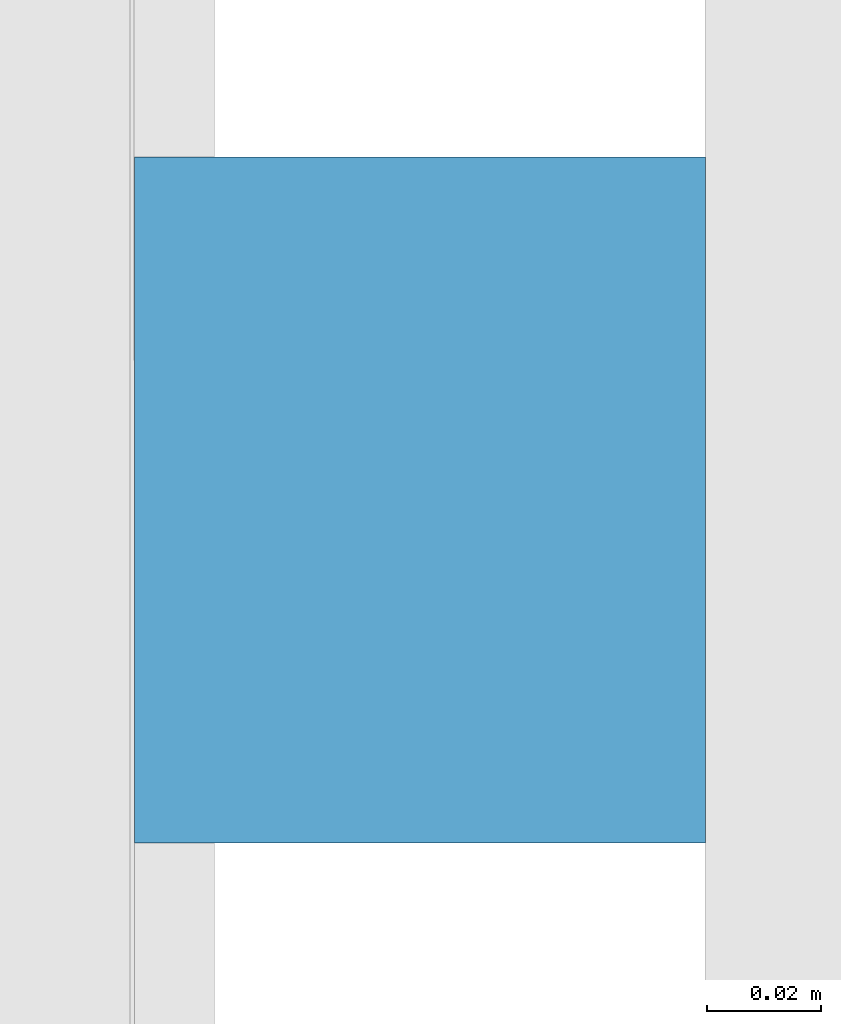
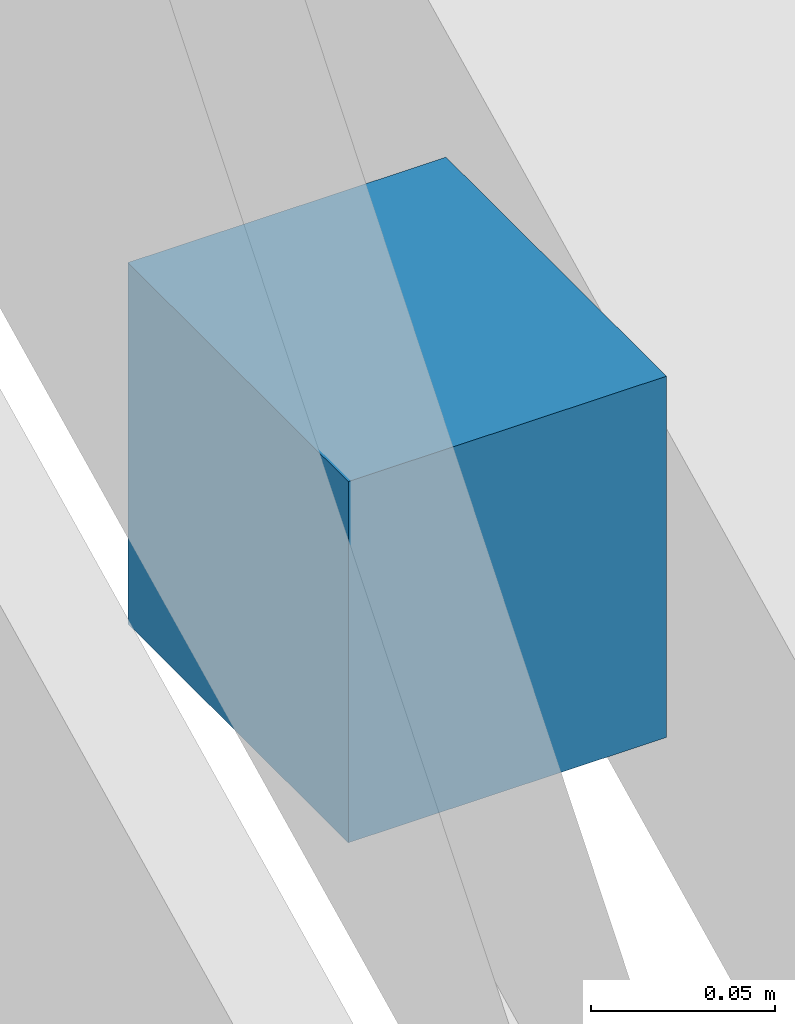
# One storey, part 21 of 22: 1 discrete accessory.
"""IFC4 building model written with IfcOpenShell, lengths in metres."""

from ifc_helpers import new_model, si_unit, direction, frame, origin, origin_2d, place, context, subcontext, project, spatial, rectangle, extrude, material, type_object, element, save


model = new_model("IFC4")

# Units and contexts
model_context = context("Model", 3, precision=1e-05, world=origin(), true_north=direction((0.0, 1.0)))
body_context = subcontext(model_context, "Body", "Model", "MODEL_VIEW")
ifc_project = project(units=[si_unit("LENGTHUNIT", "METRE"), si_unit("AREAUNIT", "SQUARE_METRE"), si_unit("VOLUMEUNIT", "CUBIC_METRE"), si_unit("PLANEANGLEUNIT", "RADIAN"), si_unit("MASSUNIT", "GRAM", prefix="KILO")], contexts=[model_context])

# Site, building, storey
site_placement = place(None, origin())
site = spatial("IfcSite", under=ifc_project, at=site_placement, CompositionType="ELEMENT")
building_placement = place(site_placement, origin())
building = spatial("IfcBuilding", under=site, at=building_placement, Name="Crosswind Convention Tower", CompositionType="ELEMENT")
storey_placement = place(building_placement, frame((0.0, 0.0, 121.10009765625)))
storey = spatial("IfcBuildingStorey", under=building, at=storey_placement, Name="L24", CompositionType="ELEMENT", Elevation=121.10009765625)

# Discrete accessory
ifc_material = material(Name="Stainless steel", Category="steel")
discrete_accessory_type = type_object("IfcDiscreteAccessoryType", Name="BAGUETTE BRACKET BK3", PredefinedType="BRACKET", material=ifc_material)
discrete_accessory_placement = place(storey_placement, frame((161.72607421875, 91.767578125, 1.704833984375), z_axis=(0.0, 0.0, 1.0), x_axis=(0.0, 1.0, 0.0)))
element("IfcDiscreteAccessory", 1, at=discrete_accessory_placement, inside=storey, type_object=discrete_accessory_type, Name="BK3 baguette bracket", PredefinedType="BRACKET", context=body_context, shape_type="SweptSolid", body=[
    extrude(rectangle(XDim=0.1201171875, YDim=0.10009765625, at=origin_2d()), origin(), (0.0, 0.0, 1.0), 0.1201171875),
])

save(model, "model.ifc")
